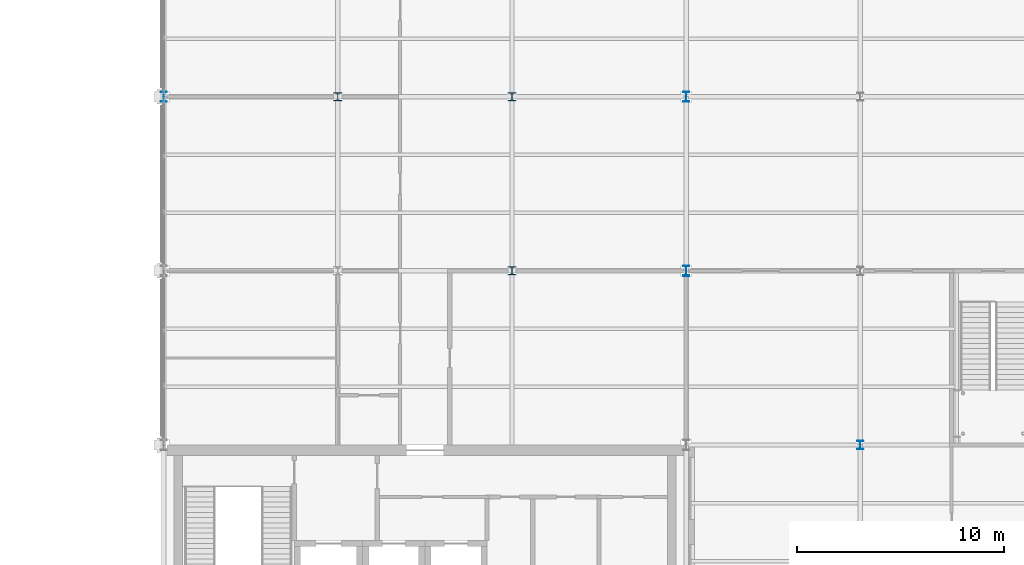
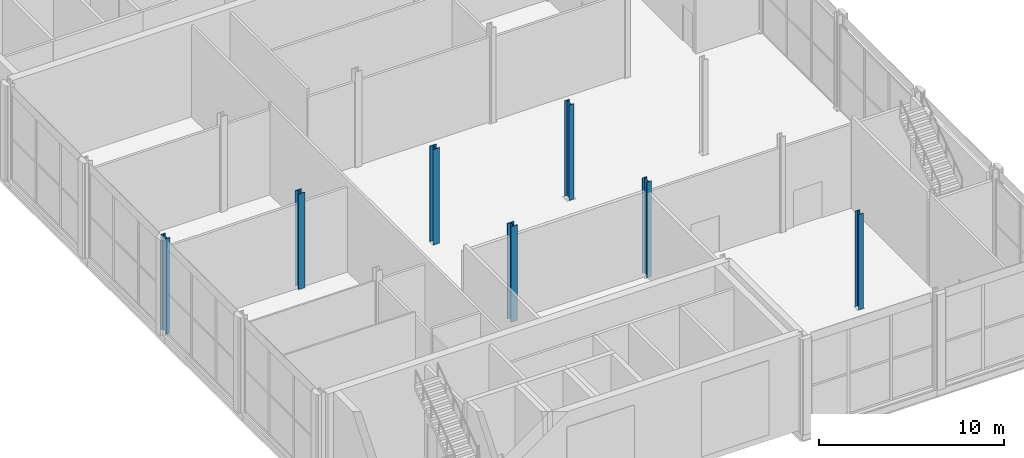
# One storey, part 2 of 77: 7 columns.
"""IFC4 building model written with IfcOpenShell, lengths in metres."""

from ifc_helpers import new_model, si_unit, direction, frame, origin, origin_2d, place, context, subcontext, project, spatial, i_section, extrude, material, material_profile, profile_set, type_object, element, save


model = new_model("IFC4")

# Units and contexts
model_context = context("Model", 3, precision=1e-05, world=origin(), true_north=direction((0.0, 1.0)))
body_context = subcontext(model_context, "Body", "Model", "MODEL_VIEW")
ifc_project = project(units=[si_unit("LENGTHUNIT", "METRE"), si_unit("AREAUNIT", "SQUARE_METRE"), si_unit("VOLUMEUNIT", "CUBIC_METRE"), si_unit("PLANEANGLEUNIT", "RADIAN"), si_unit("MASSUNIT", "GRAM", prefix="KILO")], contexts=[model_context])

# Site, building, storey
site_placement = place(None, origin())
site = spatial("IfcSite", under=ifc_project, at=site_placement, CompositionType="ELEMENT")
building_placement = place(site_placement, origin())
building = spatial("IfcBuilding", under=site, at=building_placement, Name="Catenary Quay Ferry Terminal", CompositionType="ELEMENT")
storey_placement = place(building_placement, frame((0.0, 0.0, 10.800048828125)))
storey = spatial("IfcBuildingStorey", under=building, at=storey_placement, Name="L02", CompositionType="ELEMENT", Elevation=10.800048828125)

# Columns
ifc_material_1 = material(Name="Steel S355", Category="steel")
ifc_material_profile_1 = material_profile(ifc_material_1, i_section(OverallWidth=0.300048828125, OverallDepth=0.5, WebThickness=0.014404296875, FlangeThickness=0.028076171875, at=origin_2d()), Name="HEB 500")
ifc_profile_set_1 = profile_set([ifc_material_profile_1], Name="Steel S355")
column_type_1 = type_object("IfcColumnType", Name="C1 HEB 500", PredefinedType="COLUMN", material=ifc_profile_set_1)
for number, where, z_axis, x_axis, name in (
    (1, (25.199951171875, 184.800048828125, 0.0), (0.0, 0.0, 1.0), (1.0, 0.0, 0.0), "Column C-D23 L02"),
    (2, (50.39990234375, 176.39990234375, 0.0), (0.0, 0.0, 1.0), (1.0, 0.0, 0.0), "Column C-G22 L02"),
    (3, (50.39990234375, 184.800048828125, 0.0), (0.0, 0.0, 1.0), (1.0, 0.0, 0.0), "Column C-G23 L02"),
):
    element("IfcColumn", number, at=place(storey_placement, frame(where, z_axis=z_axis, x_axis=x_axis)), inside=storey, type_object=column_type_1, Name=name, PredefinedType="COLUMN", context=body_context, shape_type="SweptSolid", body=[
        extrude(i_section(OverallWidth=0.300048828125, OverallDepth=0.5, WebThickness=0.014404296875, FlangeThickness=0.028076171875, at=origin_2d()), origin(), (0.0, 0.0, 1.0), 6.300048828125),
    ])
ifc_material_2 = material(Name="Steel S355", Category="steel")
ifc_material_profile_2 = material_profile(ifc_material_2, i_section(OverallWidth=0.300048828125, OverallDepth=0.39990234375, WebThickness=0.013427734375, FlangeThickness=0.02392578125, at=origin_2d()), Name="HEB 400")
ifc_profile_set_2 = profile_set([ifc_material_profile_2], Name="Steel S355")
column_type_2 = type_object("IfcColumnType", Name="C2 HEB 400", PredefinedType="COLUMN", material=ifc_profile_set_2)
column_placement = place(storey_placement, frame((58.800048828125, 168.0, 0.0), z_axis=(0.0, 0.0, 1.0), x_axis=(1.0, 0.0, 0.0)))
element("IfcColumn", 4, at=column_placement, inside=storey, type_object=column_type_2, Name="Column C-H21 L02", PredefinedType="COLUMN", context=body_context, shape_type="SweptSolid", body=[
    extrude(i_section(OverallWidth=0.300048828125, OverallDepth=0.39990234375, WebThickness=0.013427734375, FlangeThickness=0.02392578125, at=origin_2d()), origin(), (0.0, 0.0, 1.0), 6.300048828125),
])
ifc_material_3 = material(Name="Steel S355", Category="steel")
ifc_material_profile_3 = material_profile(ifc_material_3, i_section(OverallWidth=0.404052734375, OverallDepth=0.406982421875, WebThickness=0.027099609375, FlangeThickness=0.043701171875, at=origin_2d()), Name="HD 400x347")
ifc_profile_set_3 = profile_set([ifc_material_profile_3], Name="Steel S355")
column_type_3 = type_object("IfcColumnType", Name="C9 HD 400x347", PredefinedType="COLUMN", material=ifc_profile_set_3)
for number, where, z_axis, x_axis, name in (
    (5, (33.60009765625, 184.800048828125, 0.0), (0.0, 0.0, 1.0), (1.0, 0.0, 0.0), "Column C-E23 L02"),
    (6, (42.0, 176.39990234375, 0.0), (0.0, 0.0, 1.0), (1.0, 0.0, 0.0), "Column C-F22 L02"),
    (7, (42.0, 184.800048828125, 0.0), (0.0, 0.0, 1.0), (1.0, 0.0, 0.0), "Column C-F23 L02"),
):
    element("IfcColumn", number, at=place(storey_placement, frame(where, z_axis=z_axis, x_axis=x_axis)), inside=storey, type_object=column_type_3, Name=name, PredefinedType="COLUMN", context=body_context, shape_type="SweptSolid", body=[
        extrude(i_section(OverallWidth=0.404052734375, OverallDepth=0.406982421875, WebThickness=0.027099609375, FlangeThickness=0.043701171875, at=origin_2d()), origin(), (0.0, 0.0, 1.0), 6.300048828125),
    ])

save(model, "model.ifc")
